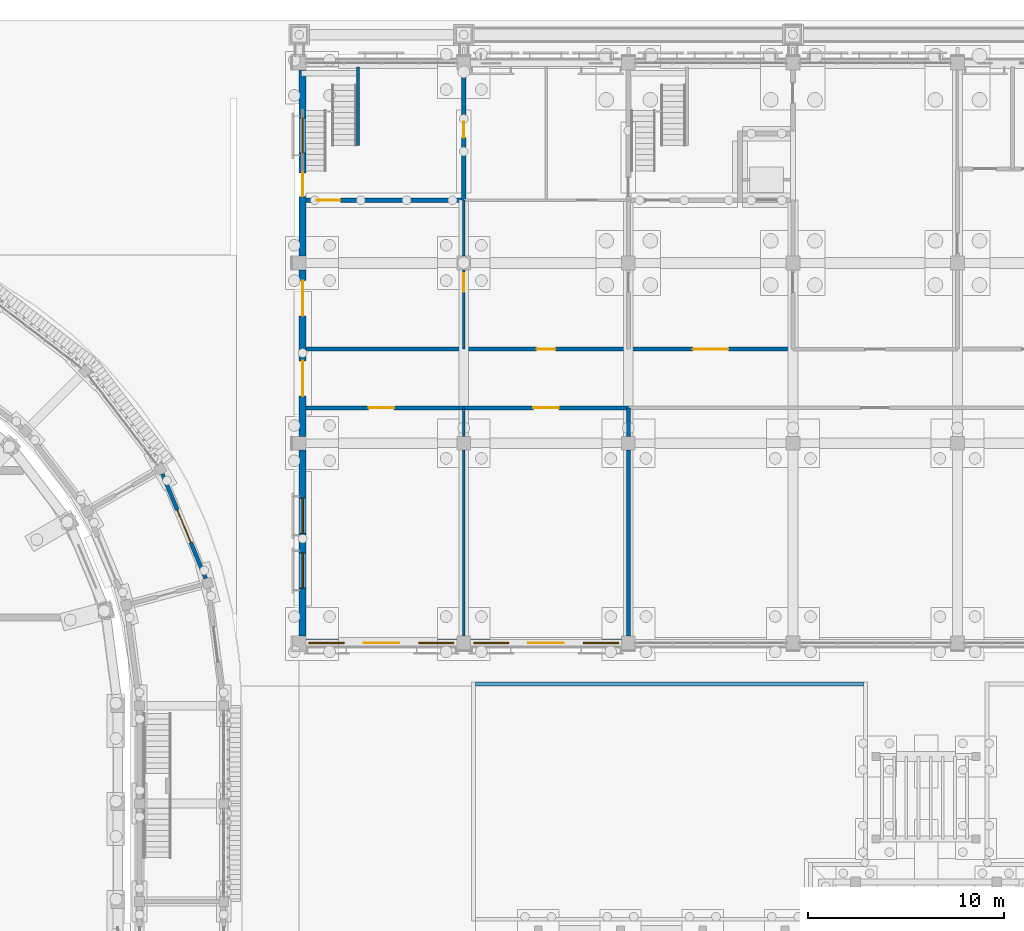
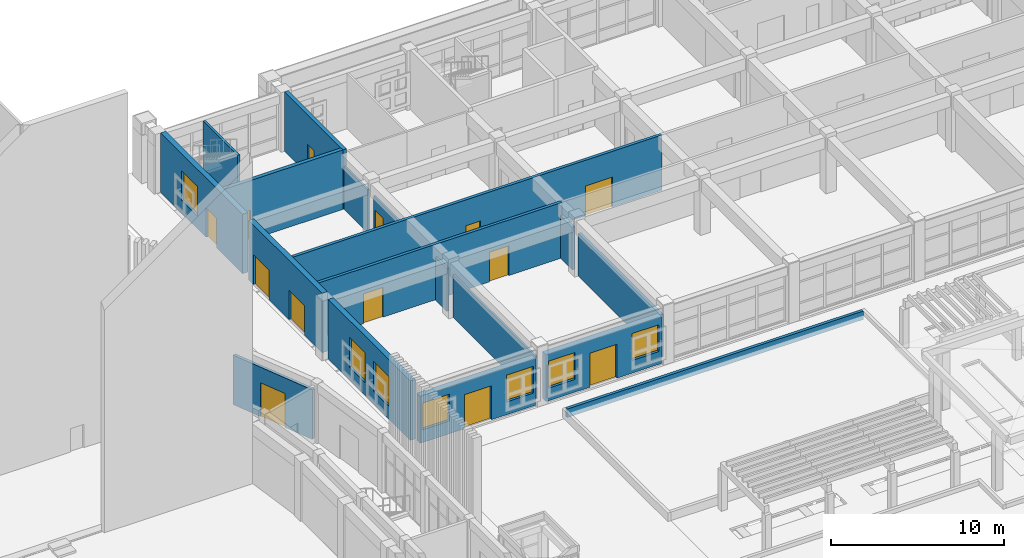
# One storey, part 71 of 112: 18 walls, 13 doors, 7 windows, 20 openings.
"""IFC4 building model written with IfcOpenShell, lengths in metres."""

from ifc_helpers import new_model, si_unit, direction, frame, frame_2d, origin, place, context, subcontext, project, spatial, rectangle, extrude, material, layer, layer_set, type_object, element, fill, save


model = new_model("IFC4")

# Units and contexts
model_context = context("Model", 3, precision=1e-05, world=origin(), true_north=direction((0.0, 1.0)))
body_context = subcontext(model_context, "Body", "Model", "MODEL_VIEW")
ifc_project = project(units=[si_unit("LENGTHUNIT", "METRE"), si_unit("AREAUNIT", "SQUARE_METRE"), si_unit("VOLUMEUNIT", "CUBIC_METRE"), si_unit("PLANEANGLEUNIT", "RADIAN"), si_unit("MASSUNIT", "GRAM", prefix="KILO")], contexts=[model_context])

# Site, building, storey
site_placement = place(None, origin())
site = spatial("IfcSite", under=ifc_project, at=site_placement, CompositionType="ELEMENT")
building_placement = place(site_placement, origin())
building = spatial("IfcBuilding", under=site, at=building_placement, Name="Wasatch Bagh Community Centre", CompositionType="ELEMENT")
storey_placement = place(building_placement, origin())
storey = spatial("IfcBuildingStorey", under=building, at=storey_placement, Name="L00", CompositionType="ELEMENT", Elevation=0.0)

# Wall, opening, door
ifc_material_1 = material(Name="Concrete C40", Category="concrete")
ifc_layer_1 = layer(ifc_material_1, 0.199951171875)
ifc_layer_set_1 = layer_set([ifc_layer_1], Name="Concrete C40")
wall_type_1 = type_object("IfcWallType", Name="Drum entrance bay wall RC WALL 200", PredefinedType="STANDARD", material=ifc_layer_set_1)
wall_1_placement = place(storey_placement, frame((59.225341796875, 71.49609375, 0.0), z_axis=(0.0, 0.0, 1.0), x_axis=(-0.382665553446, 0.923886938, 0.0)))
wall_1 = element("IfcWall", 1, at=wall_1_placement, inside=storey, type_object=wall_type_1, Name="Entrance bay wall 20", PredefinedType="STANDARD", context=body_context, shape_type="SweptSolid", body=[
    extrude(rectangle(XDim=5.772705078125, YDim=0.199951171875, at=frame_2d((2.88623046875, 0.0))), origin(), (0.0, 0.0, 1.0), 3.5),
])
opening_1_placement = place(wall_1_placement, frame((1.986328125, 0.0, 0.0)))
opening_1 = element("IfcOpeningElement", 2, at=opening_1_placement, cuts=wall_1, Name="Opening 0F-09", PredefinedType="OPENING", context=body_context, shape_type="SweptSolid", body=[
    extrude(rectangle(XDim=1.800048828125, YDim=2.39990234375, at=frame_2d((0.89990234375, 1.199951171875))), frame((0.0, 0.10986328125, 0.0), z_axis=(0.0, -1.0, 0.0), x_axis=(1.0, 0.0, 0.0)), (0.0, 0.0, 1.0), 0.219970703125),
])
ifc_material_2 = material(Name="Aluminium framed door with low-iron insulated glass", Category="aluminium")
door_type_1 = type_object("IfcDoorType", Name="Drum exit door pair 1800 x 2400", OperationType="DOUBLE_DOOR_DOUBLE_SWING", PredefinedType="DOOR", material=ifc_material_2)
door_1_placement = place(opening_1_placement, origin())
door_1 = element("IfcDoor", 3, at=door_1_placement, inside=storey, type_object=door_type_1, Name="Door 0F-09", OperationType="DOUBLE_DOOR_DOUBLE_SWING", OverallHeight=2.39990234375, OverallWidth=1.800048828125, PredefinedType="DOOR", context=body_context, shape_type="SweptSolid", body=[
    extrude(rectangle(XDim=1.800048828125, YDim=2.39990234375, at=frame_2d((0.89990234375, 1.199951171875))), frame((0.0, 0.02490234375, 0.0), z_axis=(0.0, -1.0, 0.0), x_axis=(1.0, 0.0, 0.0)), (0.0, 0.0, 1.0), 0.050048828125),
])
fill(opening_1, door_1)

ifc_layer_2 = layer(ifc_material_1, 0.25)
ifc_layer_set_2 = layer_set([ifc_layer_2], Name="Concrete C40")
wall_type_2 = type_object("IfcWallType", Name="LW core wall 250", PredefinedType="SHEAR", material=ifc_layer_set_2)
wall_2_placement = place(storey_placement, frame((64.35009765625, 90.800048828125, 0.0), z_axis=(0.0, 0.0, 1.0), x_axis=(1.0, 0.0, 0.0)))
wall_2 = element("IfcWall", 4, at=wall_2_placement, inside=storey, type_object=wall_type_2, Name="LW.swall.L00.01", PredefinedType="SHEAR", context=body_context, shape_type="SweptSolid", body=[
    extrude(rectangle(XDim=7.9248046875, YDim=0.25, at=frame_2d((3.96240234375, 0.0))), origin(), (0.0, 0.0, 1.0), 4.199951171875),
])
opening_2_placement = place(wall_2_placement, frame((0.550048828125, 0.0, 0.0)))
opening_2 = element("IfcOpeningElement", 5, at=opening_2_placement, cuts=wall_2, Name="Opening 0L-45", PredefinedType="OPENING", context=body_context, shape_type="SweptSolid", body=[
    extrude(rectangle(XDim=1.199951171875, YDim=2.10009765625, at=frame_2d((0.60009765625, 1.050048828125))), frame((0.0, 0.135009765625, 0.0), z_axis=(0.0, -1.0, 0.0), x_axis=(1.0, 0.0, 0.0)), (0.0, 0.0, 1.0), 0.27001953125),
])
ifc_material_3 = material(Name="Painted timber", Category="wood")
door_type_2 = type_object("IfcDoorType", Name="LW stair door 1200x2100", OperationType="SINGLE_SWING_LEFT", PredefinedType="DOOR", material=ifc_material_3)
door_2_placement = place(opening_2_placement, origin())
door_2 = element("IfcDoor", 6, at=door_2_placement, inside=storey, type_object=door_type_2, Name="Stair door 0L-45", OperationType="SINGLE_SWING_LEFT", OverallHeight=2.10009765625, OverallWidth=1.199951171875, PredefinedType="DOOR", context=body_context, shape_type="SweptSolid", body=[
    extrude(rectangle(XDim=1.199951171875, YDim=2.10009765625, at=frame_2d((0.60009765625, 1.050048828125))), frame((0.0, 0.02490234375, 0.0), z_axis=(0.0, -1.0, 0.0), x_axis=(1.0, 0.0, 0.0)), (0.0, 0.0, 1.0), 0.050048828125),
])
fill(opening_2, door_2)

wall_3_placement = place(storey_placement, frame((72.39990234375, 90.675048828125, 0.0), z_axis=(0.0, 0.0, 1.0), x_axis=(0.0, 1.0, 0.0)))
wall_3 = element("IfcWall", 7, at=wall_3_placement, inside=storey, type_object=wall_type_2, Name="LW.swall.L00.17", PredefinedType="SHEAR", context=body_context, shape_type="SweptSolid", body=[
    extrude(rectangle(XDim=6.77490234375, YDim=0.25, at=frame_2d((3.387451171875, 0.0))), origin(), (0.0, 0.0, 1.0), 4.199951171875),
])
opening_3_placement = place(wall_3_placement, frame((3.324951171875, 0.0, 0.0)))
opening_3 = element("IfcOpeningElement", 8, at=opening_3_placement, cuts=wall_3, Name="Opening 0L-21", PredefinedType="OPENING", context=body_context, shape_type="SweptSolid", body=[
    extrude(rectangle(XDim=0.800048828125, YDim=2.10009765625, at=frame_2d((0.39990234375, 1.050048828125))), frame((0.0, 0.135009765625, 0.0), z_axis=(0.0, -1.0, 0.0), x_axis=(1.0, 0.0, 0.0)), (0.0, 0.0, 1.0), 0.27001953125),
])
door_type_3 = type_object("IfcDoorType", Name="LW children's toilet door 800x2100", OperationType="SINGLE_SWING_LEFT", PredefinedType="DOOR", material=ifc_material_3)
door_3_placement = place(opening_3_placement, origin())
door_3 = element("IfcDoor", 9, at=door_3_placement, inside=storey, type_object=door_type_3, Name="Door Children's Toilets 0L-21", OperationType="SINGLE_SWING_LEFT", OverallHeight=2.10009765625, OverallWidth=0.800048828125, PredefinedType="DOOR", context=body_context, shape_type="SweptSolid", body=[
    extrude(rectangle(XDim=0.800048828125, YDim=2.10009765625, at=frame_2d((0.39990234375, 1.050048828125))), frame((0.0, 0.02490234375, 0.0), z_axis=(0.0, -1.0, 0.0), x_axis=(1.0, 0.0, 0.0)), (0.0, 0.0, 1.0), 0.050048828125),
])
fill(opening_3, door_3)

# Wall, openings, windows
ifc_layer_3 = layer(ifc_material_1, 0.35009765625)
ifc_layer_set_3 = layer_set([ifc_layer_3], Name="Concrete C40")
wall_type_3 = type_object("IfcWallType", Name="LW end shear wall 350", PredefinedType="SHEAR", material=ifc_layer_set_3)
wall_4_placement = place(storey_placement, frame((64.175048828125, 68.550048828125, 0.0), z_axis=(0.0, 0.0, 1.0), x_axis=(0.0, 1.0, 0.0)))
wall_4 = element("IfcWall", 10, at=wall_4_placement, inside=storey, type_object=wall_type_3, Name="LW.swall.L00.14", PredefinedType="SHEAR", context=body_context, shape_type="SweptSolid", body=[
    extrude(rectangle(XDim=9.5, YDim=0.35009765625, at=frame_2d((4.75, 0.0))), origin(), (0.0, 0.0, 1.0), 4.199951171875),
])
opening_4_placement = place(wall_4_placement, frame((2.449951171875, 0.0, 0.89990234375)))
opening_4 = element("IfcOpeningElement", 11, at=opening_4_placement, cuts=wall_4, Name="Opening 0L-W015", PredefinedType="OPENING", context=body_context, shape_type="SweptSolid", body=[
    extrude(rectangle(XDim=1.800048828125, YDim=2.10009765625, at=frame_2d((0.89990234375, 1.050048828125))), frame((0.0, 0.18505859375, 0.0), z_axis=(0.0, -1.0, 0.0), x_axis=(1.0, 0.0, 0.0)), (0.0, 0.0, 1.0), 0.3701171875),
])
opening_5_placement = place(wall_4_placement, frame((5.25, 0.0, 0.89990234375)))
opening_5 = element("IfcOpeningElement", 12, at=opening_5_placement, cuts=wall_4, Name="Opening 0L-W016", PredefinedType="OPENING", context=body_context, shape_type="SweptSolid", body=[
    extrude(rectangle(XDim=1.800048828125, YDim=2.10009765625, at=frame_2d((0.89990234375, 1.050048828125))), frame((0.0, 0.18505859375, 0.0), z_axis=(0.0, -1.0, 0.0), x_axis=(1.0, 0.0, 0.0)), (0.0, 0.0, 1.0), 0.3701171875),
])
ifc_material_4 = material(Name="Aluminium framed double glazing", Category="aluminium")
window_type_1 = type_object("IfcWindowType", Name="LW window 1800x2100", PartitioningType="SINGLE_PANEL", PredefinedType="WINDOW", material=ifc_material_4)
window_1_placement = place(opening_4_placement, origin())
window_1 = element("IfcWindow", 13, at=window_1_placement, inside=storey, type_object=window_type_1, Name="Window 0L-W015", OverallHeight=2.10009765625, OverallWidth=1.800048828125, PartitioningType="SINGLE_PANEL", PredefinedType="WINDOW", context=body_context, shape_type="SweptSolid", body=[
    extrude(rectangle(XDim=1.800048828125, YDim=2.10009765625, at=frame_2d((0.89990234375, 1.050048828125))), frame((0.0, 0.030029296875, 0.0), z_axis=(0.0, -1.0, 0.0), x_axis=(1.0, 0.0, 0.0)), (0.0, 0.0, 1.0), 0.06005859375),
])
fill(opening_4, window_1)
window_2_placement = place(opening_5_placement, origin())
window_2 = element("IfcWindow", 14, at=window_2_placement, inside=storey, type_object=window_type_1, Name="Window 0L-W016", OverallHeight=2.10009765625, OverallWidth=1.800048828125, PartitioningType="SINGLE_PANEL", PredefinedType="WINDOW", context=body_context, shape_type="SweptSolid", body=[
    extrude(rectangle(XDim=1.800048828125, YDim=2.10009765625, at=frame_2d((0.89990234375, 1.050048828125))), frame((0.0, 0.030029296875, 0.0), z_axis=(0.0, -1.0, 0.0), x_axis=(1.0, 0.0, 0.0)), (0.0, 0.0, 1.0), 0.06005859375),
])
fill(opening_5, window_2)

# Wall, openings, doors
wall_5_placement = place(storey_placement, frame((64.175048828125, 78.75, 0.0), z_axis=(0.0, 0.0, 1.0), x_axis=(0.0, 1.0, 0.0)))
wall_5 = element("IfcWall", 15, at=wall_5_placement, inside=storey, type_object=wall_type_3, Name="LW.swall.L00.15", PredefinedType="SHEAR", context=body_context, shape_type="SweptSolid", body=[
    extrude(rectangle(XDim=8.5, YDim=0.35009765625, at=frame_2d((4.25, 0.0))), origin(), (0.0, 0.0, 1.0), 4.199951171875),
])
opening_6_placement = place(wall_5_placement, frame((2.050048828125, 0.0, 0.0)))
opening_6 = element("IfcOpeningElement", 16, at=opening_6_placement, cuts=wall_5, Name="Opening 0L-06", PredefinedType="OPENING", context=body_context, shape_type="SweptSolid", body=[
    extrude(rectangle(XDim=1.800048828125, YDim=2.10009765625, at=frame_2d((0.89990234375, 1.050048828125))), frame((0.0, 0.18505859375, 0.0), z_axis=(0.0, -1.0, 0.0), x_axis=(1.0, 0.0, 0.0)), (0.0, 0.0, 1.0), 0.3701171875),
])
opening_7_placement = place(wall_5_placement, frame((6.14990234375, 0.0, 0.0)))
opening_7 = element("IfcOpeningElement", 17, at=opening_7_placement, cuts=wall_5, Name="Opening 0L-07", PredefinedType="OPENING", context=body_context, shape_type="SweptSolid", body=[
    extrude(rectangle(XDim=1.800048828125, YDim=2.10009765625, at=frame_2d((0.89990234375, 1.050048828125))), frame((0.0, 0.18505859375, 0.0), z_axis=(0.0, -1.0, 0.0), x_axis=(1.0, 0.0, 0.0)), (0.0, 0.0, 1.0), 0.3701171875),
])
door_type_4 = type_object("IfcDoorType", Name="LW door pair 1800x2100", OperationType="DOUBLE_DOOR_SINGLE_SWING", PredefinedType="DOOR", material=ifc_material_3)
door_4_placement = place(opening_6_placement, origin())
door_4 = element("IfcDoor", 18, at=door_4_placement, inside=storey, type_object=door_type_4, Name="Exit door 0L-06", OperationType="DOUBLE_DOOR_SINGLE_SWING", OverallHeight=2.10009765625, OverallWidth=1.800048828125, PredefinedType="DOOR", context=body_context, shape_type="SweptSolid", body=[
    extrude(rectangle(XDim=1.800048828125, YDim=2.10009765625, at=frame_2d((0.89990234375, 1.050048828125))), frame((0.0, 0.02490234375, 0.0), z_axis=(0.0, -1.0, 0.0), x_axis=(1.0, 0.0, 0.0)), (0.0, 0.0, 1.0), 0.050048828125),
])
fill(opening_6, door_4)
door_5_placement = place(opening_7_placement, origin())
door_5 = element("IfcDoor", 19, at=door_5_placement, inside=storey, type_object=door_type_4, Name="Exit door 0L-07", OperationType="DOUBLE_DOOR_SINGLE_SWING", OverallHeight=2.10009765625, OverallWidth=1.800048828125, PredefinedType="DOOR", context=body_context, shape_type="SweptSolid", body=[
    extrude(rectangle(XDim=1.800048828125, YDim=2.10009765625, at=frame_2d((0.89990234375, 1.050048828125))), frame((0.0, 0.02490234375, 0.0), z_axis=(0.0, -1.0, 0.0), x_axis=(1.0, 0.0, 0.0)), (0.0, 0.0, 1.0), 0.050048828125),
])
fill(opening_7, door_5)

# Wall, openings, door, window
wall_6_placement = place(storey_placement, frame((64.175048828125, 87.949951171875, 0.0), z_axis=(0.0, 0.0, 1.0), x_axis=(0.0, 1.0, 0.0)))
wall_6 = element("IfcWall", 20, at=wall_6_placement, inside=storey, type_object=wall_type_3, Name="LW.swall.L00.16", PredefinedType="SHEAR", context=body_context, shape_type="SweptSolid", body=[
    extrude(rectangle(XDim=9.5, YDim=0.35009765625, at=frame_2d((4.75, 0.0))), origin(), (0.0, 0.0, 1.0), 4.199951171875),
])
opening_8_placement = place(wall_6_placement, frame((3.050048828125, 0.0, 0.0)))
opening_8 = element("IfcOpeningElement", 21, at=opening_8_placement, cuts=wall_6, Name="Opening 0L-08", PredefinedType="OPENING", context=body_context, shape_type="SweptSolid", body=[
    extrude(rectangle(XDim=1.199951171875, YDim=2.10009765625, at=frame_2d((0.60009765625, 1.050048828125))), frame((0.0, 0.18505859375, 0.0), z_axis=(0.0, -1.0, 0.0), x_axis=(1.0, 0.0, 0.0)), (0.0, 0.0, 1.0), 0.3701171875),
])
opening_9_placement = place(wall_6_placement, frame((5.25, 0.0, 0.89990234375)))
opening_9 = element("IfcOpeningElement", 22, at=opening_9_placement, cuts=wall_6, Name="Opening 0L-W017", PredefinedType="OPENING", context=body_context, shape_type="SweptSolid", body=[
    extrude(rectangle(XDim=1.800048828125, YDim=2.10009765625, at=frame_2d((0.89990234375, 1.050048828125))), frame((0.0, 0.18505859375, 0.0), z_axis=(0.0, -1.0, 0.0), x_axis=(1.0, 0.0, 0.0)), (0.0, 0.0, 1.0), 0.3701171875),
])
door_6_placement = place(opening_8_placement, origin())
door_6 = element("IfcDoor", 23, at=door_6_placement, inside=storey, type_object=door_type_2, Name="Exit door 0L-08", OperationType="SINGLE_SWING_LEFT", OverallHeight=2.10009765625, OverallWidth=1.199951171875, PredefinedType="DOOR", context=body_context, shape_type="SweptSolid", body=[
    extrude(rectangle(XDim=1.199951171875, YDim=2.10009765625, at=frame_2d((0.60009765625, 1.050048828125))), frame((0.0, 0.02490234375, 0.0), z_axis=(0.0, -1.0, 0.0), x_axis=(1.0, 0.0, 0.0)), (0.0, 0.0, 1.0), 0.050048828125),
])
fill(opening_8, door_6)
window_3_placement = place(opening_9_placement, origin())
window_3 = element("IfcWindow", 24, at=window_3_placement, inside=storey, type_object=window_type_1, Name="Window 0L-W017", OverallHeight=2.10009765625, OverallWidth=1.800048828125, PartitioningType="SINGLE_PANEL", PredefinedType="WINDOW", context=body_context, shape_type="SweptSolid", body=[
    extrude(rectangle(XDim=1.800048828125, YDim=2.10009765625, at=frame_2d((0.89990234375, 1.050048828125))), frame((0.0, 0.030029296875, 0.0), z_axis=(0.0, -1.0, 0.0), x_axis=(1.0, 0.0, 0.0)), (0.0, 0.0, 1.0), 0.06005859375),
])
fill(opening_9, window_3)

# Wall, openings, door, windows
ifc_material_5 = material(Name="Concrete C35", Category="concrete")
ifc_layer_4 = layer(ifc_material_5, 0.39990234375)
ifc_layer_set_4 = layer_set([ifc_layer_4], Name="Concrete C35")
wall_type_4 = type_object("IfcWallType", Name="LW facade wall 400", PredefinedType="SOLIDWALL", material=ifc_layer_set_4)
wall_7_placement = place(storey_placement, frame((64.35009765625, 68.199951171875, 0.0), z_axis=(0.0, 0.0, 1.0), x_axis=(1.0, 0.0, 0.0)))
wall_7 = element("IfcWall", 25, at=wall_7_placement, inside=storey, type_object=wall_type_4, Name="Facade wall", PredefinedType="SOLIDWALL", context=body_context, shape_type="SweptSolid", body=[
    extrude(rectangle(XDim=7.699951171875, YDim=0.39990234375, at=frame_2d((3.85009765625, 0.0))), origin(), (0.0, 0.0, 1.0), 3.320068359375),
])
opening_10_placement = place(wall_7_placement, frame((2.949951171875, 0.0, 0.0)))
opening_10 = element("IfcOpeningElement", 26, at=opening_10_placement, cuts=wall_7, Name="Opening 0L-01", PredefinedType="OPENING", context=body_context, shape_type="SweptSolid", body=[
    extrude(rectangle(XDim=1.800048828125, YDim=2.39990234375, at=frame_2d((0.89990234375, 1.199951171875))), frame((0.0, 0.2099609375, 0.0), z_axis=(0.0, -1.0, 0.0), x_axis=(1.0, 0.0, 0.0)), (0.0, 0.0, 1.0), 0.419921875),
])
opening_11_placement = place(wall_7_placement, frame((0.14990234375, 0.0, 0.89990234375)))
opening_11 = element("IfcOpeningElement", 27, at=opening_11_placement, cuts=wall_7, Name="Opening 0L-W001", PredefinedType="OPENING", context=body_context, shape_type="SweptSolid", body=[
    extrude(rectangle(XDim=1.800048828125, YDim=1.89990234375, at=frame_2d((0.89990234375, 0.949951171875))), frame((0.0, 0.2099609375, 0.0), z_axis=(0.0, -1.0, 0.0), x_axis=(1.0, 0.0, 0.0)), (0.0, 0.0, 1.0), 0.419921875),
])
opening_12_placement = place(wall_7_placement, frame((5.75, 0.0, 0.89990234375)))
opening_12 = element("IfcOpeningElement", 28, at=opening_12_placement, cuts=wall_7, Name="Opening 0L-W002", PredefinedType="OPENING", context=body_context, shape_type="SweptSolid", body=[
    extrude(rectangle(XDim=1.800048828125, YDim=1.89990234375, at=frame_2d((0.89990234375, 0.949951171875))), frame((0.0, 0.2099609375, 0.0), z_axis=(0.0, -1.0, 0.0), x_axis=(1.0, 0.0, 0.0)), (0.0, 0.0, 1.0), 0.419921875),
])
ifc_material_6 = material(Name="Aluminium framed glazed door", Category="aluminium")
door_type_5 = type_object("IfcDoorType", Name="LW terrace door pair 1800x2400", OperationType="DOUBLE_DOOR_SINGLE_SWING", PredefinedType="DOOR", material=ifc_material_6)
door_7_placement = place(opening_10_placement, origin())
door_7 = element("IfcDoor", 29, at=door_7_placement, inside=storey, type_object=door_type_5, Name="Garden door 0L-01", OperationType="DOUBLE_DOOR_SINGLE_SWING", OverallHeight=2.39990234375, OverallWidth=1.800048828125, PredefinedType="DOOR", context=body_context, shape_type="SweptSolid", body=[
    extrude(rectangle(XDim=1.800048828125, YDim=2.39990234375, at=frame_2d((0.89990234375, 1.199951171875))), frame((0.0, 0.02490234375, 0.0), z_axis=(0.0, -1.0, 0.0), x_axis=(1.0, 0.0, 0.0)), (0.0, 0.0, 1.0), 0.050048828125),
])
fill(opening_10, door_7)
window_type_2 = type_object("IfcWindowType", Name="LW window 1800x1900", PartitioningType="SINGLE_PANEL", PredefinedType="WINDOW", material=ifc_material_4)
window_4_placement = place(opening_11_placement, origin())
window_4 = element("IfcWindow", 30, at=window_4_placement, inside=storey, type_object=window_type_2, Name="Window 0L-W001", OverallHeight=1.89990234375, OverallWidth=1.800048828125, PartitioningType="SINGLE_PANEL", PredefinedType="WINDOW", context=body_context, shape_type="SweptSolid", body=[
    extrude(rectangle(XDim=1.800048828125, YDim=1.89990234375, at=frame_2d((0.89990234375, 0.949951171875))), frame((0.0, 0.030029296875, 0.0), z_axis=(0.0, -1.0, 0.0), x_axis=(1.0, 0.0, 0.0)), (0.0, 0.0, 1.0), 0.06005859375),
])
fill(opening_11, window_4)
window_5_placement = place(opening_12_placement, origin())
window_5 = element("IfcWindow", 31, at=window_5_placement, inside=storey, type_object=window_type_2, Name="Window 0L-W002", OverallHeight=1.89990234375, OverallWidth=1.800048828125, PartitioningType="SINGLE_PANEL", PredefinedType="WINDOW", context=body_context, shape_type="SweptSolid", body=[
    extrude(rectangle(XDim=1.800048828125, YDim=1.89990234375, at=frame_2d((0.89990234375, 0.949951171875))), frame((0.0, 0.030029296875, 0.0), z_axis=(0.0, -1.0, 0.0), x_axis=(1.0, 0.0, 0.0)), (0.0, 0.0, 1.0), 0.06005859375),
])
fill(opening_12, window_5)

wall_8_placement = place(storey_placement, frame((72.75, 68.199951171875, 0.0), z_axis=(0.0, 0.0, 1.0), x_axis=(1.0, 0.0, 0.0)))
wall_8 = element("IfcWall", 32, at=wall_8_placement, inside=storey, type_object=wall_type_4, Name="Facade wall", PredefinedType="SOLIDWALL", context=body_context, shape_type="SweptSolid", body=[
    extrude(rectangle(XDim=7.699951171875, YDim=0.39990234375, at=frame_2d((3.85009765625, 0.0))), origin(), (0.0, 0.0, 1.0), 3.320068359375),
])
opening_13_placement = place(wall_8_placement, frame((2.949951171875, 0.0, 0.0)))
opening_13 = element("IfcOpeningElement", 33, at=opening_13_placement, cuts=wall_8, Name="Opening 0L-02", PredefinedType="OPENING", context=body_context, shape_type="SweptSolid", body=[
    extrude(rectangle(XDim=1.800048828125, YDim=2.39990234375, at=frame_2d((0.89990234375, 1.199951171875))), frame((0.0, 0.2099609375, 0.0), z_axis=(0.0, -1.0, 0.0), x_axis=(1.0, 0.0, 0.0)), (0.0, 0.0, 1.0), 0.419921875),
])
opening_14_placement = place(wall_8_placement, frame((0.14990234375, 0.0, 0.89990234375)))
opening_14 = element("IfcOpeningElement", 34, at=opening_14_placement, cuts=wall_8, Name="Opening 0L-W003", PredefinedType="OPENING", context=body_context, shape_type="SweptSolid", body=[
    extrude(rectangle(XDim=1.800048828125, YDim=1.89990234375, at=frame_2d((0.89990234375, 0.949951171875))), frame((0.0, 0.2099609375, 0.0), z_axis=(0.0, -1.0, 0.0), x_axis=(1.0, 0.0, 0.0)), (0.0, 0.0, 1.0), 0.419921875),
])
opening_15_placement = place(wall_8_placement, frame((5.75, 0.0, 0.89990234375)))
opening_15 = element("IfcOpeningElement", 35, at=opening_15_placement, cuts=wall_8, Name="Opening 0L-W004", PredefinedType="OPENING", context=body_context, shape_type="SweptSolid", body=[
    extrude(rectangle(XDim=1.800048828125, YDim=1.89990234375, at=frame_2d((0.89990234375, 0.949951171875))), frame((0.0, 0.2099609375, 0.0), z_axis=(0.0, -1.0, 0.0), x_axis=(1.0, 0.0, 0.0)), (0.0, 0.0, 1.0), 0.419921875),
])
door_8_placement = place(opening_13_placement, origin())
door_8 = element("IfcDoor", 36, at=door_8_placement, inside=storey, type_object=door_type_5, Name="Garden door 0L-02", OperationType="DOUBLE_DOOR_SINGLE_SWING", OverallHeight=2.39990234375, OverallWidth=1.800048828125, PredefinedType="DOOR", context=body_context, shape_type="SweptSolid", body=[
    extrude(rectangle(XDim=1.800048828125, YDim=2.39990234375, at=frame_2d((0.89990234375, 1.199951171875))), frame((0.0, 0.02490234375, 0.0), z_axis=(0.0, -1.0, 0.0), x_axis=(1.0, 0.0, 0.0)), (0.0, 0.0, 1.0), 0.050048828125),
])
fill(opening_13, door_8)
window_6_placement = place(opening_14_placement, origin())
window_6 = element("IfcWindow", 37, at=window_6_placement, inside=storey, type_object=window_type_2, Name="Window 0L-W003", OverallHeight=1.89990234375, OverallWidth=1.800048828125, PartitioningType="SINGLE_PANEL", PredefinedType="WINDOW", context=body_context, shape_type="SweptSolid", body=[
    extrude(rectangle(XDim=1.800048828125, YDim=1.89990234375, at=frame_2d((0.89990234375, 0.949951171875))), frame((0.0, 0.030029296875, 0.0), z_axis=(0.0, -1.0, 0.0), x_axis=(1.0, 0.0, 0.0)), (0.0, 0.0, 1.0), 0.06005859375),
])
fill(opening_14, window_6)
window_7_placement = place(opening_15_placement, origin())
window_7 = element("IfcWindow", 38, at=window_7_placement, inside=storey, type_object=window_type_2, Name="Window 0L-W004", OverallHeight=1.89990234375, OverallWidth=1.800048828125, PartitioningType="SINGLE_PANEL", PredefinedType="WINDOW", context=body_context, shape_type="SweptSolid", body=[
    extrude(rectangle(XDim=1.800048828125, YDim=1.89990234375, at=frame_2d((0.89990234375, 0.949951171875))), frame((0.0, 0.030029296875, 0.0), z_axis=(0.0, -1.0, 0.0), x_axis=(1.0, 0.0, 0.0)), (0.0, 0.0, 1.0), 0.06005859375),
])
fill(opening_15, window_7)

# Wall, openings, doors
ifc_material_7 = material(Name="Blockwork fire partition", Category="masonry")
ifc_layer_5 = layer(ifc_material_7, 0.199951171875)
ifc_layer_set_5 = layer_set([ifc_layer_5], Name="Blockwork fire partition")
wall_type_5 = type_object("IfcWallType", Name="LW fire partition 200", PredefinedType="PARTITIONING", material=ifc_layer_set_5)
wall_9_placement = place(storey_placement, frame((64.35009765625, 80.199951171875, 0.0), z_axis=(0.0, 0.0, 1.0), x_axis=(1.0, 0.0, 0.0)))
wall_9 = element("IfcWall", 39, at=wall_9_placement, inside=storey, type_object=wall_type_5, Name="LW.part.L00.001", PredefinedType="PARTITIONING", context=body_context, shape_type="SweptSolid", body=[
    extrude(rectangle(XDim=16.449951171875, YDim=0.199951171875, at=frame_2d((8.22509765625, 0.0))), origin(), (0.0, 0.0, 1.0), 3.919921875),
])
opening_16_placement = place(wall_9_placement, frame((3.199951171875, 0.0, 0.0)))
opening_16 = element("IfcOpeningElement", 40, at=opening_16_placement, cuts=wall_9, Name="Opening 0L-12", PredefinedType="OPENING", context=body_context, shape_type="SweptSolid", body=[
    extrude(rectangle(XDim=1.300048828125, YDim=2.10009765625, at=frame_2d((0.64990234375, 1.050048828125))), frame((0.0, 0.10986328125, 0.0), z_axis=(0.0, -1.0, 0.0), x_axis=(1.0, 0.0, 0.0)), (0.0, 0.0, 1.0), 0.219970703125),
])
opening_17_placement = place(wall_9_placement, frame((11.60009765625, 0.0, 0.0)))
opening_17 = element("IfcOpeningElement", 41, at=opening_17_placement, cuts=wall_9, Name="Opening 0L-13", PredefinedType="OPENING", context=body_context, shape_type="SweptSolid", body=[
    extrude(rectangle(XDim=1.300048828125, YDim=2.10009765625, at=frame_2d((0.64990234375, 1.050048828125))), frame((0.0, 0.10986328125, 0.0), z_axis=(0.0, -1.0, 0.0), x_axis=(1.0, 0.0, 0.0)), (0.0, 0.0, 1.0), 0.219970703125),
])
door_type_6 = type_object("IfcDoorType", Name="LW nursery playroom door pair 1300x2100", OperationType="DOUBLE_DOOR_SINGLE_SWING", PredefinedType="DOOR", material=ifc_material_3)
door_9_placement = place(opening_16_placement, origin())
door_9 = element("IfcDoor", 42, at=door_9_placement, inside=storey, type_object=door_type_6, Name="Door Nursery Playroom 1 0L-12", OperationType="DOUBLE_DOOR_SINGLE_SWING", OverallHeight=2.10009765625, OverallWidth=1.300048828125, PredefinedType="DOOR", context=body_context, shape_type="SweptSolid", body=[
    extrude(rectangle(XDim=1.300048828125, YDim=2.10009765625, at=frame_2d((0.64990234375, 1.050048828125))), frame((0.0, 0.02490234375, 0.0), z_axis=(0.0, -1.0, 0.0), x_axis=(1.0, 0.0, 0.0)), (0.0, 0.0, 1.0), 0.050048828125),
])
fill(opening_16, door_9)
door_10_placement = place(opening_17_placement, origin())
door_10 = element("IfcDoor", 43, at=door_10_placement, inside=storey, type_object=door_type_6, Name="Door Nursery Playroom 2 0L-13", OperationType="DOUBLE_DOOR_SINGLE_SWING", OverallHeight=2.10009765625, OverallWidth=1.300048828125, PredefinedType="DOOR", context=body_context, shape_type="SweptSolid", body=[
    extrude(rectangle(XDim=1.300048828125, YDim=2.10009765625, at=frame_2d((0.64990234375, 1.050048828125))), frame((0.0, 0.02490234375, 0.0), z_axis=(0.0, -1.0, 0.0), x_axis=(1.0, 0.0, 0.0)), (0.0, 0.0, 1.0), 0.050048828125),
])
fill(opening_17, door_10)

wall_10_placement = place(storey_placement, frame((64.35009765625, 83.199951171875, 0.0), z_axis=(0.0, 0.0, 1.0), x_axis=(1.0, 0.0, 0.0)))
wall_10 = element("IfcWall", 44, at=wall_10_placement, inside=storey, type_object=wall_type_5, Name="LW.part.L00.005", PredefinedType="PARTITIONING", context=body_context, shape_type="SweptSolid", body=[
    extrude(rectangle(XDim=24.849853515625, YDim=0.199951171875, at=frame_2d((12.4248046875, 0.0))), origin(), (0.0, 0.0, 1.0), 3.919921875),
])
opening_18_placement = place(wall_10_placement, frame((11.77490234375, 0.0, 0.0)))
opening_18 = element("IfcOpeningElement", 45, at=opening_18_placement, cuts=wall_10, Name="Opening 0L-18", PredefinedType="OPENING", context=body_context, shape_type="SweptSolid", body=[
    extrude(rectangle(XDim=0.949951171875, YDim=2.10009765625, at=frame_2d((0.47509765625, 1.050048828125))), frame((0.0, 0.10986328125, 0.0), z_axis=(0.0, -1.0, 0.0), x_axis=(1.0, 0.0, 0.0)), (0.0, 0.0, 1.0), 0.219970703125),
])
opening_19_placement = place(wall_10_placement, frame((19.75, 0.0, 0.0)))
opening_19 = element("IfcOpeningElement", 46, at=opening_19_placement, cuts=wall_10, Name="Opening 0L-40", PredefinedType="OPENING", context=body_context, shape_type="SweptSolid", body=[
    extrude(rectangle(XDim=1.800048828125, YDim=2.10009765625, at=frame_2d((0.89990234375, 1.050048828125))), frame((0.0, 0.10986328125, 0.0), z_axis=(0.0, -1.0, 0.0), x_axis=(1.0, 0.0, 0.0)), (0.0, 0.0, 1.0), 0.219970703125),
])
door_11_placement = place(opening_19_placement, origin())
door_11 = element("IfcDoor", 47, at=door_11_placement, inside=storey, type_object=door_type_4, Name="Door Core Lobby C1 0L-40", OperationType="DOUBLE_DOOR_SINGLE_SWING", OverallHeight=2.10009765625, OverallWidth=1.800048828125, PredefinedType="DOOR", context=body_context, shape_type="SweptSolid", body=[
    extrude(rectangle(XDim=1.800048828125, YDim=2.10009765625, at=frame_2d((0.89990234375, 1.050048828125))), frame((0.0, 0.02490234375, 0.0), z_axis=(0.0, -1.0, 0.0), x_axis=(1.0, 0.0, 0.0)), (0.0, 0.0, 1.0), 0.050048828125),
])
fill(opening_19, door_11)
door_type_7 = type_object("IfcDoorType", Name="LW nursery door 950x2100", OperationType="SINGLE_SWING_LEFT", PredefinedType="DOOR", material=ifc_material_3)
door_12_placement = place(opening_18_placement, origin())
door_12 = element("IfcDoor", 48, at=door_12_placement, inside=storey, type_object=door_type_7, Name="Door Nursery Sleep Room 0L-18", OperationType="SINGLE_SWING_RIGHT", OverallHeight=2.10009765625, OverallWidth=0.949951171875, PredefinedType="DOOR", context=body_context, shape_type="SweptSolid", body=[
    extrude(rectangle(XDim=0.949951171875, YDim=2.10009765625, at=frame_2d((0.47509765625, 1.050048828125))), frame((0.0, 0.02490234375, 0.0), z_axis=(0.0, -1.0, 0.0), x_axis=(1.0, 0.0, 0.0)), (0.0, 0.0, 1.0), 0.050048828125),
])
fill(opening_18, door_12)

# Walls
wall_11_placement = place(storey_placement, frame((80.800048828125, 68.550048828125, 0.0), z_axis=(0.0, 0.0, 1.0), x_axis=(0.0, 1.0, 0.0)))
element("IfcWall", 49, at=wall_11_placement, inside=storey, type_object=wall_type_5, Name="LW.part.L00.018", PredefinedType="PARTITIONING", context=body_context, shape_type="SweptSolid", body=[
    extrude(rectangle(XDim=9.5, YDim=0.199951171875, at=frame_2d((4.75, 0.0))), origin(), (0.0, 0.0, 1.0), 3.02001953125),
])
wall_12_placement = place(storey_placement, frame((80.800048828125, 78.75, 0.0), z_axis=(0.0, 0.0, 1.0), x_axis=(0.0, 1.0, 0.0)))
element("IfcWall", 50, at=wall_12_placement, inside=storey, type_object=wall_type_5, Name="LW.part.L00.019", PredefinedType="PARTITIONING", context=body_context, shape_type="SweptSolid", body=[
    extrude(rectangle(XDim=1.449951171875, YDim=0.199951171875, at=frame_2d((0.72509765625, 0.0))), origin(), (0.0, 0.0, 1.0), 3.02001953125),
])
ifc_material_8 = material(Name="Plywood faced stud partition", Category="wood")
ifc_layer_6 = layer(ifc_material_8, 0.125)
ifc_layer_set_6 = layer_set([ifc_layer_6], Name="Plywood faced stud partition")
wall_type_6 = type_object("IfcWallType", Name="LW nursery partition 125", PredefinedType="PARTITIONING", material=ifc_layer_set_6)
wall_13_placement = place(storey_placement, frame((72.39990234375, 68.550048828125, 0.0), z_axis=(0.0, 0.0, 1.0), x_axis=(0.0, 1.0, 0.0)))
element("IfcWall", 51, at=wall_13_placement, inside=storey, type_object=wall_type_6, Name="LW.part.L00.013", PredefinedType="PARTITIONING", context=body_context, shape_type="SweptSolid", body=[
    extrude(rectangle(XDim=9.5, YDim=0.125, at=frame_2d((4.75, 0.0))), origin(), (0.0, 0.0, 1.0), 3.02001953125),
])
wall_14_placement = place(storey_placement, frame((72.39990234375, 78.75, 0.0), z_axis=(0.0, 0.0, 1.0), x_axis=(0.0, 1.0, 0.0)))
element("IfcWall", 52, at=wall_14_placement, inside=storey, type_object=wall_type_6, Name="LW.part.L00.014", PredefinedType="PARTITIONING", context=body_context, shape_type="SweptSolid", body=[
    extrude(rectangle(XDim=1.449951171875, YDim=0.125, at=frame_2d((0.72509765625, 0.0))), origin(), (0.0, 0.0, 1.0), 3.02001953125),
])

# Wall, opening, door
wall_15_placement = place(storey_placement, frame((72.39990234375, 83.199951171875, 0.0), z_axis=(0.0, 0.0, 1.0), x_axis=(0.0, 1.0, 0.0)))
wall_15 = element("IfcWall", 53, at=wall_15_placement, inside=storey, type_object=wall_type_6, Name="LW.part.L00.015", PredefinedType="PARTITIONING", context=body_context, shape_type="SweptSolid", body=[
    extrude(rectangle(XDim=4.050048828125, YDim=0.125, at=frame_2d((2.02490234375, 0.0))), origin(), (0.0, 0.0, 1.0), 3.02001953125),
])
opening_20_placement = place(wall_15_placement, frame((2.925048828125, 0.0, 0.0)))
opening_20 = element("IfcOpeningElement", 54, at=opening_20_placement, cuts=wall_15, Name="Opening 0L-19", PredefinedType="OPENING", context=body_context, shape_type="SweptSolid", body=[
    extrude(rectangle(XDim=0.949951171875, YDim=2.10009765625, at=frame_2d((0.47509765625, 1.050048828125))), frame((0.0, 0.072509765625, 0.0), z_axis=(0.0, -1.0, 0.0), x_axis=(1.0, 0.0, 0.0)), (0.0, 0.0, 1.0), 0.14501953125),
])
door_13_placement = place(opening_20_placement, origin())
door_13 = element("IfcDoor", 55, at=door_13_placement, inside=storey, type_object=door_type_7, Name="Door Nursery Sleep Room 0L-19", OperationType="SINGLE_SWING_LEFT", OverallHeight=2.10009765625, OverallWidth=0.949951171875, PredefinedType="DOOR", context=body_context, shape_type="SweptSolid", body=[
    extrude(rectangle(XDim=0.949951171875, YDim=2.10009765625, at=frame_2d((0.47509765625, 1.050048828125))), frame((0.0, 0.02490234375, 0.0), z_axis=(0.0, -1.0, 0.0), x_axis=(1.0, 0.0, 0.0)), (0.0, 0.0, 1.0), 0.050048828125),
])
fill(opening_20, door_13)

# Walls
wall_16_placement = place(storey_placement, frame((72.39990234375, 87.949951171875, 0.0), z_axis=(0.0, 0.0, 1.0), x_axis=(0.0, 1.0, 0.0)))
element("IfcWall", 56, at=wall_16_placement, inside=storey, type_object=wall_type_6, Name="LW.part.L00.016", PredefinedType="PARTITIONING", context=body_context, shape_type="SweptSolid", body=[
    extrude(rectangle(XDim=2.85009765625, YDim=0.125, at=frame_2d((1.425048828125, 0.0))), origin(), (0.0, 0.0, 1.0), 3.02001953125),
])
ifc_material_9 = material(Name="Gypsum board on steel studs", Category="steel")
ifc_layer_7 = layer(ifc_material_9, 0.14990234375)
ifc_layer_set_7 = layer_set([ifc_layer_7], Name="Gypsum board on steel studs")
wall_type_7 = type_object("IfcWallType", Name="LW partition 150", PredefinedType="PARTITIONING", material=ifc_layer_set_7)
wall_17_placement = place(storey_placement, frame((67.0, 93.60009765625, 0.0), z_axis=(0.0, 0.0, 1.0), x_axis=(0.0, 1.0, 0.0)))
element("IfcWall", 57, at=wall_17_placement, inside=storey, type_object=wall_type_7, Name="Stair compartment wall", PredefinedType="PARTITIONING", context=body_context, shape_type="SweptSolid", body=[
    extrude(rectangle(XDim=4.0, YDim=0.14990234375, at=frame_2d((2.0, 0.0))), origin(), (0.0, 0.0, 1.0), 3.919921875),
])
ifc_material_10 = material(Name="Concrete C30", Category="concrete")
ifc_layer_8 = layer(ifc_material_10, 0.199951171875)
ifc_layer_set_8 = layer_set([ifc_layer_8], Name="Concrete C30")
wall_type_8 = type_object("IfcWallType", Name="SITE-K1", PredefinedType="SOLIDWALL", material=ifc_layer_set_8)
wall_18_placement = place(storey_placement, frame((73.0, 66.10009765625, 0.0), z_axis=(0.0, 0.0, 1.0), x_axis=(1.0, 0.0, 0.0)))
element("IfcWall", 58, at=wall_18_placement, inside=storey, type_object=wall_type_8, Name="Raised bed kerb - Garden quadrant NW", PredefinedType="SOLIDWALL", context=body_context, shape_type="SweptSolid", body=[
    extrude(rectangle(XDim=19.800048828125, YDim=0.199951171875, at=frame_2d((9.89990234375, 0.0))), origin(), (0.0, 0.0, 1.0), 0.60009765625),
])

save(model, "model.ifc")
